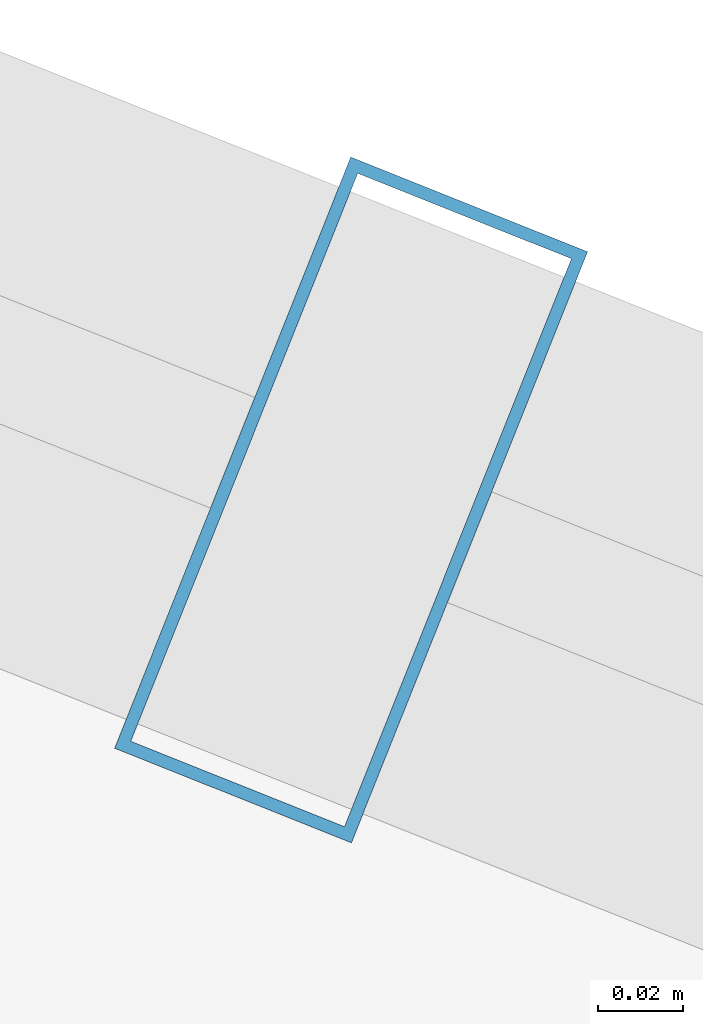
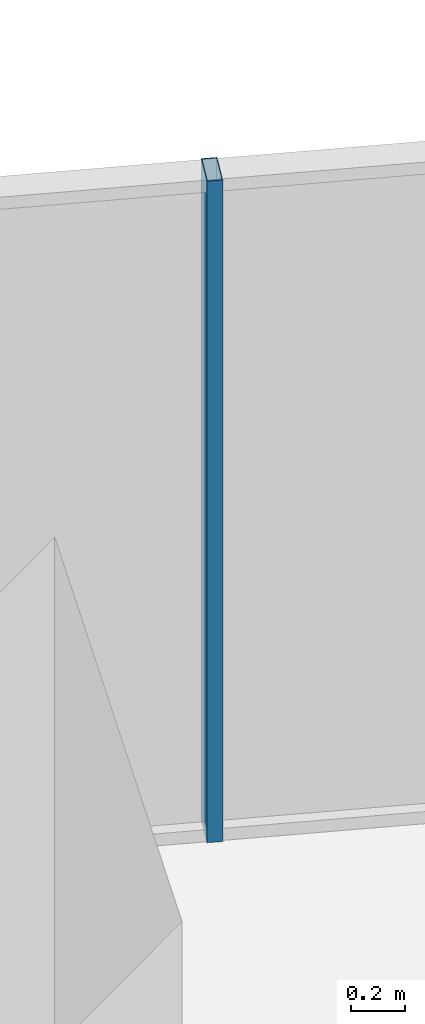
# One storey, part 23 of 31: 1 member, 1 element without a shape of its own.
"""IFC4 building model written with IfcOpenShell, lengths in metres."""

from ifc_helpers import new_model, si_unit, direction, frame, origin, origin_2d, place, context, subcontext, project, spatial, hollow_rectangle, extrude, source, transform, mapped, material, layer, layer_set, material_profile, profile_set, type_object, element, aggregate, save


model = new_model("IFC4")

# Units and contexts
model_context = context("Model", 3, precision=1e-05, world=origin(), true_north=direction((0.0, 1.0)))
body_context = subcontext(model_context, "Body", "Model", "MODEL_VIEW")
ifc_project = project(units=[si_unit("LENGTHUNIT", "METRE"), si_unit("AREAUNIT", "SQUARE_METRE"), si_unit("VOLUMEUNIT", "CUBIC_METRE"), si_unit("PLANEANGLEUNIT", "RADIAN"), si_unit("MASSUNIT", "GRAM", prefix="KILO")], contexts=[model_context])

# Site, building, storey
site_placement = place(None, origin())
site = spatial("IfcSite", under=ifc_project, at=site_placement, CompositionType="ELEMENT")
building_placement = place(site_placement, origin())
building = spatial("IfcBuilding", under=site, at=building_placement, Name="Veraguas Prism Commons", CompositionType="ELEMENT")
storey_placement = place(building_placement, frame((0.0, 0.0, 178.85009765625)))
storey = spatial("IfcBuildingStorey", under=building, at=storey_placement, Name="L50", CompositionType="ELEMENT", Elevation=178.85009765625)

# Curtain wall, member
ifc_material = material(Name="Anodised aluminium EN AW-6063 T6", Category="aluminium")
ifc_layer = layer(ifc_material, 0.14990234375, Name="Unitised Flush Curtain Wall Zone 3", Category="aluminium")
ifc_layer_set = layer_set([ifc_layer], Name="Anodised aluminium EN AW-6063 T6")
curtain_wall_type = type_object("IfcCurtainWallType", Name="Unitised Flush Curtain Wall Zone 3", PredefinedType="NOTDEFINED", material=ifc_layer_set)
curtain_wall_placement = place(storey_placement, origin())
curtain_wall = element("IfcCurtainWall", 1, at=curtain_wall_placement, inside=storey, type_object=curtain_wall_type, Name="Tower Facade Curtain Wall L50-F1", PredefinedType="NOTDEFINED")
ifc_material_profile = material_profile(ifc_material, hollow_rectangle(XDim=0.06005859375, YDim=0.14990234375, WallThickness=0.0029296875, at=origin_2d()), Name="AL60X150X3")
ifc_profile_set = profile_set([ifc_material_profile], Name="Anodised aluminium EN AW-6063 T6")
member_type = type_object("IfcMemberType", Name="Curtain Wall Mullion Upper AL 60x150x3", PredefinedType="MULLION", material=ifc_profile_set)
shared_shape = source(origin(), body_context, "Body", "SweptSolid", [
    extrude(hollow_rectangle(XDim=0.06005859375, YDim=0.14990234375, WallThickness=0.0029296875, at=origin_2d()), origin(), (0.0, 0.0, 1.0), 3.014892578125),
])
member_placement = place(storey_placement, frame((30.5712890625, 40.446044921875, 0.0), z_axis=(0.0, 0.0, 1.0), x_axis=(-0.928617992492, 0.37103722727, 0.0)))
member = element("IfcMember", 2, at=member_placement, type_object=member_type, Name="CW-Z3 Mullion 3", PredefinedType="MULLION", context=body_context, shape_type="MappedRepresentation", body=[
    mapped(shared_shape, transform((0.0, 0.0, 0.0), scale=1.0)),
])
aggregate(curtain_wall, [member])

save(model, "model.ifc")
